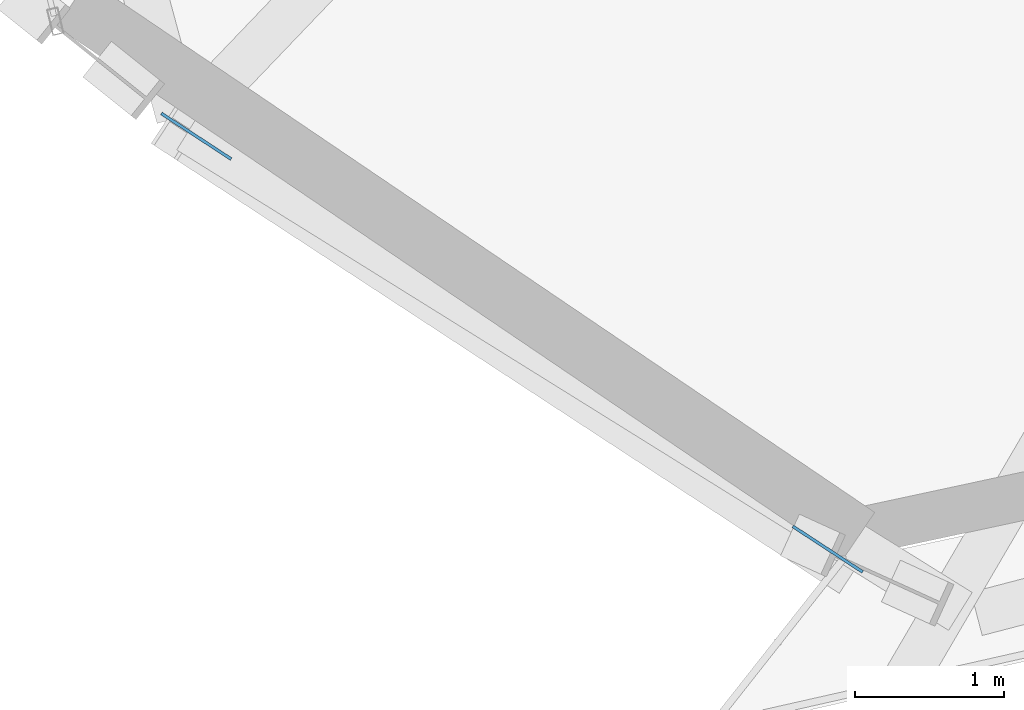
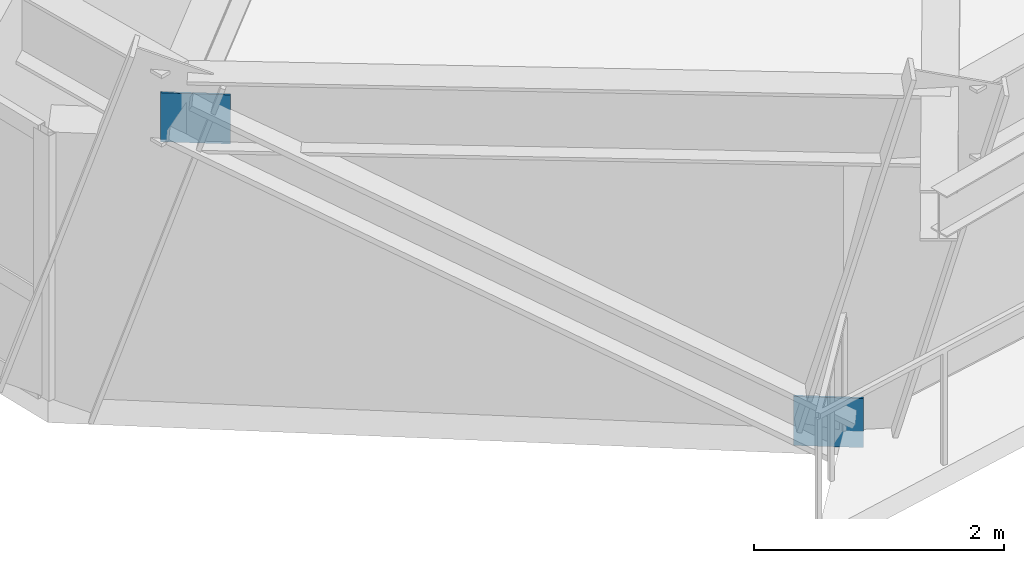
# One storey, part 13 of 21: 2 plates.
"""IFC4 building model written with IfcOpenShell, lengths in metres."""

import ifcopenshell
import ifcopenshell.guid

model = None  # the IFC model being written
_history = None  # IfcOwnerHistory: only IFC2X3 demands one
_inside = {}  # id of a spatial element -> (the spatial element, [elements in it])
_under = {}  # id of a project, library or spatial element -> (it, [spatial elements below it])
_declared = {}  # id of a project -> (the project, [libraries it declares])
_typed = {}  # id of a type object -> (the type object, [elements of that type])
_made_of = {}  # id of a material, layer set ... -> (it, [elements and type objects made of it])


def new_model(schema):
    """Start an empty IFC model of exactly this schema.

    Asked for "IFC4X3", IfcOpenShell would pick the latest addendum, in which some entities
    have other attributes; the version numbers below select the first issue.
    IFC2X3 requires an IfcOwnerHistory on every rooted entity: one is made here for all.
    """
    global model, _history
    if schema == "IFC4X3":
        model = ifcopenshell.file(schema_version=(4, 3, 0, 0))
    else:
        model = ifcopenshell.file(schema=schema)
    _inside.clear()
    _under.clear()
    _declared.clear()
    _typed.clear()
    _made_of.clear()
    _history = None
    if model.schema == "IFC2X3":
        org = make("IfcOrganization", Name="unknown")
        user = make(
            "IfcPersonAndOrganization",
            ThePerson=make("IfcPerson", FamilyName="unknown"),
            TheOrganization=org,
        )
        app = make(
            "IfcApplication",
            ApplicationDeveloper=org,
            Version="unknown",
            ApplicationFullName="unknown",
            ApplicationIdentifier="unknown",
        )
        _history = make(
            "IfcOwnerHistory",
            OwningUser=user,
            OwningApplication=app,
            ChangeAction="ADDED",
            CreationDate=0,
        )
    return model


def make(cls, **values):
    """One entity of the class cls with the attributes given. An attribute that is None is left unset."""
    return model.create_entity(
        cls, **{name: value for name, value in values.items() if value is not None}
    )


def rooted(cls, **values):
    """An entity with a GlobalId (a new one), such as an element, a storey or a relation."""
    return make(cls, GlobalId=ifcopenshell.guid.new(), OwnerHistory=_history, **values)


def si_unit(unit_type, name, prefix=None):
    """IfcSIUnit, for example si_unit("LENGTHUNIT", "METRE", prefix="MILLI")."""
    return make("IfcSIUnit", UnitType=unit_type, Prefix=prefix, Name=name)


def assignment(units):
    """IfcUnitAssignment: the units of a project."""
    return None if units is None else make("IfcUnitAssignment", Units=units)


def point(xyz):
    """IfcCartesianPoint."""
    return None if xyz is None else make("IfcCartesianPoint", Coordinates=xyz)


def direction(xyz):
    """IfcDirection."""
    return None if xyz is None else make("IfcDirection", DirectionRatios=xyz)


def frame(location, z_axis=None, x_axis=None):
    """IfcAxis2Placement3D, a coordinate frame: its origin and axes. An axis left out is left unset."""
    return make(
        "IfcAxis2Placement3D",
        Location=point(location),
        Axis=direction(z_axis),
        RefDirection=direction(x_axis),
    )


def frame_2d(location, x_axis=None):
    """IfcAxis2Placement2D, a coordinate frame in the plane: its origin and x axis."""
    return make(
        "IfcAxis2Placement2D", Location=point(location), RefDirection=direction(x_axis)
    )


def origin():
    """The frame at (0, 0, 0) with its axes left unset."""
    return frame((0.0, 0.0, 0.0))


def origin_2d():
    """The frame at (0, 0) in the plane with its x axis left unset."""
    return frame_2d((0.0, 0.0))


def place(relative_to, where):
    """IfcLocalPlacement: puts the frame where relative to a parent placement (None: the world)."""
    return make(
        "IfcLocalPlacement", PlacementRelTo=relative_to, RelativePlacement=where
    )


def context(
    kind, dimensions, precision=None, world=None, true_north=None, identifier=None
):
    """IfcGeometricRepresentationContext, for example the 3D "Model" context."""
    return make(
        "IfcGeometricRepresentationContext",
        ContextIdentifier=identifier,
        ContextType=kind,
        CoordinateSpaceDimension=dimensions,
        Precision=precision,
        WorldCoordinateSystem=world,
        TrueNorth=true_north,
    )


def subcontext(parent, identifier, kind, view, scale=None):
    """IfcGeometricRepresentationSubContext, for example "Body" below "Model"."""
    return make(
        "IfcGeometricRepresentationSubContext",
        ContextIdentifier=identifier,
        ContextType=kind,
        ParentContext=parent,
        TargetScale=scale,
        TargetView=view,
    )


def project(units=None, contexts=None):
    """IfcProject with its units and contexts."""
    return rooted(
        "IfcProject",
        Name="project",
        RepresentationContexts=contexts,
        UnitsInContext=assignment(units),
    )


def spatial(cls, under=None, at=None, **own):
    """A site, building, storey or space (cls), placed at a placement, below another one or the project."""
    s = rooted(cls, ObjectPlacement=at, **own)
    if under is not None:
        _under.setdefault(under.id(), (under, []))[1].append(s)
    return s


def profile(cls, at=None, kind="AREA", **sizes):
    """A parametric profile (cls). Its sizes go by their IFC names, for example OverallWidth=200.0."""
    return make(cls, ProfileType=kind, Position=at, **sizes)


def rectangle(**sizes):
    """IfcRectangleProfileDef."""
    return profile("IfcRectangleProfileDef", **sizes)


def extrude(swept, where, along, depth):
    """IfcExtrudedAreaSolid: the profile swept, set in the frame where, extruded along a direction by depth."""
    return make(
        "IfcExtrudedAreaSolid",
        SweptArea=swept,
        Position=where,
        ExtrudedDirection=direction(along),
        Depth=depth,
    )


def shape(context_of_items, identifier, shape_type, items):
    """IfcShapeRepresentation: the items that make up one representation, for example the "Body"."""
    return make(
        "IfcShapeRepresentation",
        ContextOfItems=context_of_items,
        RepresentationIdentifier=identifier,
        RepresentationType=shape_type,
        Items=items,
    )


def source(mapping_origin, context_of_items, identifier, shape_type, items):
    """IfcRepresentationMap: a shape defined once, which mapped items show again and again."""
    return make(
        "IfcRepresentationMap",
        MappingOrigin=mapping_origin,
        MappedRepresentation=shape(context_of_items, identifier, shape_type, items),
    )


def transform(
    local_origin,
    x_axis=None,
    y_axis=None,
    z_axis=None,
    scale=None,
    scale2=None,
    scale3=None,
    uniform=True,
):
    """IfcCartesianTransformationOperator3D, or its non-uniform kind. x_axis, y_axis, z_axis: its Axis1, 2, 3."""
    if uniform:
        return make(
            "IfcCartesianTransformationOperator3D",
            Axis1=direction(x_axis),
            Axis2=direction(y_axis),
            LocalOrigin=point(local_origin),
            Scale=scale,
            Axis3=direction(z_axis),
        )
    return make(
        "IfcCartesianTransformationOperator3DnonUniform",
        Axis1=direction(x_axis),
        Axis2=direction(y_axis),
        LocalOrigin=point(local_origin),
        Scale=scale,
        Axis3=direction(z_axis),
        Scale2=scale2,
        Scale3=scale3,
    )


def mapped(mapping_source, mapping_target):
    """IfcMappedItem: shows the shape of a source again, moved by a transform."""
    return make(
        "IfcMappedItem", MappingSource=mapping_source, MappingTarget=mapping_target
    )


def material(Name=None, Category=None):
    """IfcMaterial."""
    return make("IfcMaterial", Name=Name, Category=Category)


def made_of(thing, what):
    """Note that an element or type object is made of a material, layer set ...; save() writes the relation."""
    if what is not None:
        _made_of.setdefault(what.id(), (what, []))[1].append(thing)
    return thing


def type_object(cls, material=None, **own):
    """A type object (cls), such as IfcWallType, which elements share."""
    return made_of(rooted(cls, **own), material)


def element(
    cls,
    number,
    at=None,
    inside=None,
    cuts=None,
    type_object=None,
    material=None,
    context=None,
    identifier="Body",
    shape_type=None,
    held_by="IfcProductDefinitionShape",
    body=None,
    shapes=None,
    **own,
):
    """One element of the class cls, such as IfcWall. Its Tag is "e" and its number.

    at: its placement. inside: the storey or other place that contains it. cuts: it is an
    opening in that element (IfcRelVoidsElement). A single representation is given by context,
    identifier, shape_type and body (its items); several are given by shapes. held_by: the class
    of the entity that holds the representations. save() writes the other relations.
    """
    e = rooted(cls, Tag="e%d" % number, ObjectPlacement=at, **own)
    if body is not None:
        shapes = [shape(context, identifier, shape_type, body)]
    if shapes is not None:
        e.Representation = make(held_by, Representations=shapes)
    if inside is not None:
        _inside.setdefault(inside.id(), (inside, []))[1].append(e)
    if cuts is not None:
        rooted(
            "IfcRelVoidsElement", RelatingBuildingElement=cuts, RelatedOpeningElement=e
        )
    if type_object is not None:
        _typed.setdefault(type_object.id(), (type_object, []))[1].append(e)
    return made_of(e, material)


def aggregate(whole, parts):
    """IfcRelAggregates: a whole, such as a stair, and the parts it consists of."""
    return rooted("IfcRelAggregates", RelatingObject=whole, RelatedObjects=parts)


def save(model, path):
    """Write the relations noted so far, then the file.

    IfcRelAggregates (storeys below a building ...), IfcRelContainedInSpatialStructure (elements
    in a storey), IfcRelDefinesByType, IfcRelAssociatesMaterial and IfcRelDeclares: one each for
    every whole, place, type object, material and project.
    """
    for whole, parts in _under.values():
        aggregate(whole, parts)
    for where, things in _inside.values():
        rooted(
            "IfcRelContainedInSpatialStructure",
            RelatedElements=things,
            RelatingStructure=where,
        )
    for kind, things in _typed.values():
        rooted("IfcRelDefinesByType", RelatedObjects=things, RelatingType=kind)
    for what, things in _made_of.values():
        rooted("IfcRelAssociatesMaterial", RelatedObjects=things, RelatingMaterial=what)
    for by, libraries in _declared.values():
        rooted("IfcRelDeclares", RelatingContext=by, RelatedDefinitions=libraries)
    model.write(path)


model = new_model("IFC4")

# Units and contexts
model_context = context("Model", 3, precision=1e-05, world=origin(), true_north=direction((0.0, 1.0)))
body_context = subcontext(model_context, "Body", "Model", "MODEL_VIEW")
ifc_project = project(units=[si_unit("LENGTHUNIT", "METRE"), si_unit("AREAUNIT", "SQUARE_METRE"), si_unit("VOLUMEUNIT", "CUBIC_METRE"), si_unit("PLANEANGLEUNIT", "RADIAN"), si_unit("MASSUNIT", "GRAM", prefix="KILO")], contexts=[model_context])

# Site, building, storey
site_placement = place(None, origin())
site = spatial("IfcSite", under=ifc_project, at=site_placement, CompositionType="ELEMENT")
building_placement = place(site_placement, origin())
building = spatial("IfcBuilding", under=site, at=building_placement, Name="Olszyna Solenne Hotel", CompositionType="ELEMENT")
storey_placement = place(building_placement, frame((0.0, 0.0, 39.949951171875)))
storey = spatial("IfcBuildingStorey", under=building, at=storey_placement, Name="L09", CompositionType="ELEMENT", Elevation=39.949951171875)

# Plates
ifc_material = material(Name="Steel S355J2", Category="steel")
plate_type = type_object("IfcPlateType", Name="GP-ND2", PredefinedType="USERDEFINED", material=ifc_material)
shared_shape = source(origin(), body_context, "Body", "SweptSolid", [
    extrude(rectangle(XDim=0.56005859375, YDim=0.02001953125, at=origin_2d()), origin(), (0.0, 0.0, 1.0), 0.47998046875),
])
for number, where, z_axis, x_axis, name in (
    (1, (24.470947265625, 5.070068359375, -0.162841796875), (0.0, 0.0, 1.0), (-0.836955398099, 0.547271104292, 0.0), "Brace end connection gusset plate GP-ND2 EP-BR-L09-3-1"),
    (2, (20.2236328125, 7.847412109375, 2.60791015625), (0.0, 0.0, 1.0), (-0.836955398099, 0.547271104292, 0.0), "Brace end connection gusset plate GP-ND2 EP-BR-L09-3-2"),
):
    element("IfcPlate", number, at=place(storey_placement, frame(where, z_axis=z_axis, x_axis=x_axis)), inside=storey, type_object=plate_type, Name=name, ObjectType="GUSSET_PLATE", PredefinedType="USERDEFINED", context=body_context, shape_type="MappedRepresentation", body=[
        mapped(shared_shape, transform((0.0, 0.0, 0.0), x_axis=(1.0, 0.0, 0.0), y_axis=(0.0, 1.0, 0.0), z_axis=(0.0, 0.0, 1.0), scale=1.0)),
    ])

save(model, "model.ifc")
